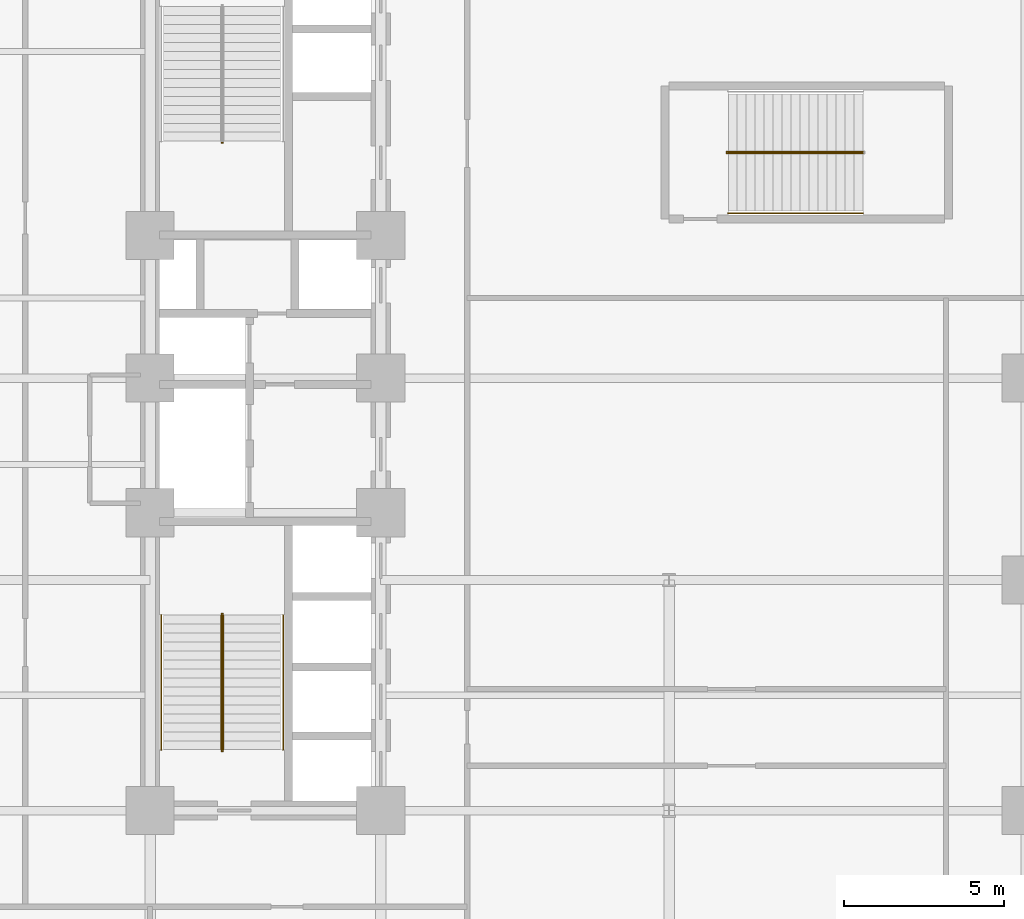
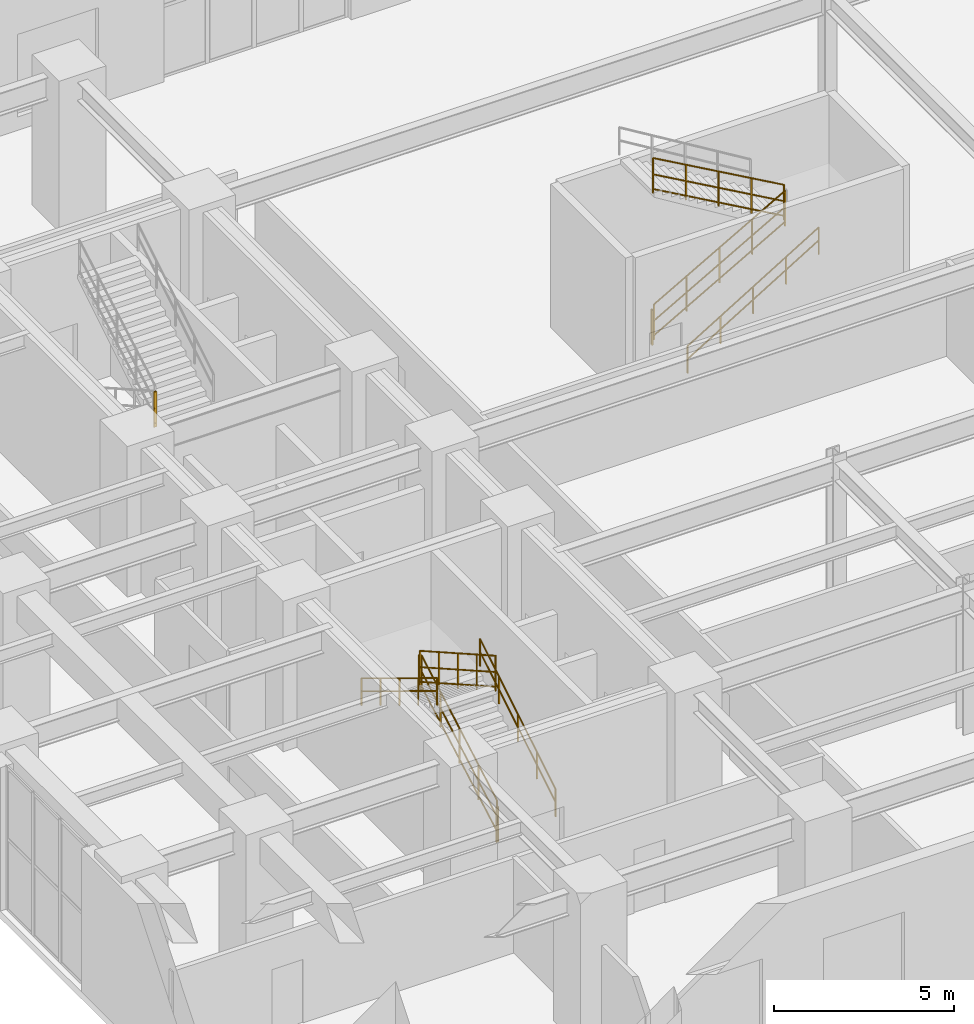
# One storey, part 21 of 23: 11 railings.
"""IFC4 building model written with IfcOpenShell, lengths in metres."""

from ifc_helpers import new_model, entity, si_unit, converted_unit, direction, frame, origin_with_axes, origin_2d_with_axis, place, context, subcontext, project, spatial, rectangle, circle, extrude, material, type_object, element, save


model = new_model("IFC4")

# Units and contexts
model_context = context("Model", 3, precision=1e-05, world=origin_with_axes(), true_north=direction((0.0, 1.0)))
body_context = subcontext(model_context, "Body", "Model", "MODEL_VIEW")
ifc_project = project(units=[si_unit("LENGTHUNIT", "METRE"), si_unit("AREAUNIT", "SQUARE_METRE"), si_unit("VOLUMEUNIT", "CUBIC_METRE"), converted_unit("PLANEANGLEUNIT", "DEGREE", entity("IfcPlaneAngleMeasure", 0.017453292519943295), si_unit("PLANEANGLEUNIT", "RADIAN"), dimensions=[0, 0, 0, 0, 0, 0, 0]), si_unit("MASSUNIT", "GRAM", prefix="KILO"), si_unit("THERMODYNAMICTEMPERATUREUNIT", "KELVIN")], contexts=[model_context])

# Site, building, storey
site_placement = place(None, origin_with_axes())
site = spatial("IfcSite", under=ifc_project, at=site_placement, CompositionType="ELEMENT")
building_placement = place(site_placement, origin_with_axes())
building = spatial("IfcBuilding", under=site, at=building_placement, Name="Varnlund Millrace Tower", CompositionType="ELEMENT")
storey_placement = place(building_placement, frame((0.0, 0.0, 5.7), z_axis=(0.0, 0.0, 1.0), x_axis=(1.0, 0.0, 0.0)))
storey = spatial("IfcBuildingStorey", under=building, at=storey_placement, Name="L01", CompositionType="ELEMENT", Elevation=5.7)

# Railings
ifc_material_1 = material(Name="Painted steel stair well balustrade guard", Category="steel")
railing_type_1 = type_object("IfcRailingType", Name="Type-StairGuard-1150", PredefinedType="GUARDRAIL", material=ifc_material_1)
railing_1_placement = place(storey_placement, frame((0.0, 0.0, -5.7), z_axis=(0.0, 0.0, 1.0), x_axis=(1.0, 0.0, 0.0)))
element("IfcRailing", 1, at=railing_1_placement, inside=storey, type_object=railing_type_1, Name="Type-StairGuard-1150", PredefinedType="GUARDRAIL", context=body_context, shape_type="SweptSolid", body=[
    extrude(circle(Radius=0.024, at=origin_2d_with_axis()), frame((13.675, 12.7, 7.02), z_axis=(0.0, 0.870022, 0.493013), x_axis=(-1.0, 0.0, 0.0)), (0.0, 0.0, 1.0), 4.827463),
    extrude(circle(Radius=0.024, at=origin_2d_with_axis()), frame((13.675, 12.7, 5.97), z_axis=(0.0, 0.870022, 0.493013), x_axis=(-1.0, 0.0, 0.0)), (0.0, 0.0, 1.0), 4.827463),
    extrude(circle(Radius=0.024, at=origin_2d_with_axis()), frame((13.675, 12.7, 6.468), z_axis=(0.0, 0.870022, 0.493013), x_axis=(-1.0, 0.0, 0.0)), (0.0, 0.0, 1.0), 4.827463),
    extrude(rectangle(XDim=0.04, YDim=0.04, at=origin_2d_with_axis()), frame((13.675, 12.7, 5.83), z_axis=(0.0, 0.0, 1.0), x_axis=(1.0, 0.0, 0.0)), (0.0, 0.0, 1.0), 1.19),
    extrude(rectangle(XDim=0.04, YDim=0.04, at=origin_2d_with_axis()), frame((13.675, 13.75, 6.425), z_axis=(0.0, 0.0, 1.0), x_axis=(1.0, 0.0, 0.0)), (0.0, 0.0, 1.0), 1.19),
    extrude(rectangle(XDim=0.04, YDim=0.04, at=origin_2d_with_axis()), frame((13.675, 14.8, 7.02), z_axis=(0.0, 0.0, 1.0), x_axis=(1.0, 0.0, 0.0)), (0.0, 0.0, 1.0), 1.19),
    extrude(rectangle(XDim=0.04, YDim=0.04, at=origin_2d_with_axis()), frame((13.675, 15.85, 7.615), z_axis=(0.0, 0.0, 1.0), x_axis=(1.0, 0.0, 0.0)), (0.0, 0.0, 1.0), 1.19),
    extrude(rectangle(XDim=0.04, YDim=0.04, at=origin_2d_with_axis()), frame((13.675, 16.9, 8.21), z_axis=(0.0, 0.0, 1.0), x_axis=(1.0, 0.0, 0.0)), (0.0, 0.0, 1.0), 1.19),
])
railing_2_placement = place(storey_placement, frame((0.0, 0.0, -5.7), z_axis=(0.0, 0.0, 1.0), x_axis=(1.0, 0.0, 0.0)))
element("IfcRailing", 2, at=railing_2_placement, inside=storey, type_object=railing_type_1, Name="Type-StairGuard-1150", PredefinedType="GUARDRAIL", context=body_context, shape_type="SweptSolid", body=[
    extrude(circle(Radius=0.024, at=origin_2d_with_axis()), frame((13.625, 16.95, 9.4), z_axis=(1.0, 0.0, 0.0), x_axis=(0.0, 1.0, 0.0)), (0.0, 0.0, 1.0), 0.05),
    extrude(circle(Radius=0.024, at=origin_2d_with_axis()), frame((13.625, 16.95, 8.35), z_axis=(1.0, 0.0, 0.0), x_axis=(0.0, 1.0, 0.0)), (0.0, 0.0, 1.0), 0.05),
    extrude(circle(Radius=0.024, at=origin_2d_with_axis()), frame((13.625, 16.95, 8.848), z_axis=(1.0, 0.0, 0.0), x_axis=(0.0, 1.0, 0.0)), (0.0, 0.0, 1.0), 0.05),
    extrude(rectangle(XDim=0.04, YDim=0.04, at=origin_2d_with_axis()), frame((13.625, 16.95, 8.21), z_axis=(0.0, 0.0, 1.0), x_axis=(1.0, 0.0, 0.0)), (0.0, 0.0, 1.0), 1.19),
    extrude(rectangle(XDim=0.04, YDim=0.04, at=origin_2d_with_axis()), frame((13.675, 16.95, 8.21), z_axis=(0.0, 0.0, 1.0), x_axis=(1.0, 0.0, 0.0)), (0.0, 0.0, 1.0), 1.19),
])
railing_3_placement = place(storey_placement, frame((0.0, 0.0, -5.7), z_axis=(0.0, 0.0, 1.0), x_axis=(1.0, 0.0, 0.0)))
element("IfcRailing", 3, at=railing_3_placement, inside=storey, type_object=railing_type_1, Name="Type-StairGuard-1150", PredefinedType="GUARDRAIL", context=body_context, shape_type="SweptSolid", body=[
    extrude(circle(Radius=0.024, at=origin_2d_with_axis()), frame((13.625, 16.9, 9.57), z_axis=(0.0, -0.870022, 0.493013), x_axis=(1.0, 0.0, 0.0)), (0.0, 0.0, 1.0), 4.827463),
    extrude(circle(Radius=0.024, at=origin_2d_with_axis()), frame((13.625, 16.9, 8.52), z_axis=(0.0, -0.870022, 0.493013), x_axis=(1.0, 0.0, 0.0)), (0.0, 0.0, 1.0), 4.827463),
    extrude(circle(Radius=0.024, at=origin_2d_with_axis()), frame((13.625, 16.9, 9.018), z_axis=(0.0, -0.870022, 0.493013), x_axis=(1.0, 0.0, 0.0)), (0.0, 0.0, 1.0), 4.827463),
    extrude(rectangle(XDim=0.04, YDim=0.04, at=origin_2d_with_axis()), frame((13.625, 16.9, 8.38), z_axis=(0.0, 0.0, 1.0), x_axis=(1.0, 0.0, 0.0)), (0.0, 0.0, 1.0), 1.19),
    extrude(rectangle(XDim=0.04, YDim=0.04, at=origin_2d_with_axis()), frame((13.625, 15.85, 8.975), z_axis=(0.0, 0.0, 1.0), x_axis=(1.0, 0.0, 0.0)), (0.0, 0.0, 1.0), 1.19),
    extrude(rectangle(XDim=0.04, YDim=0.04, at=origin_2d_with_axis()), frame((13.625, 14.8, 9.57), z_axis=(0.0, 0.0, 1.0), x_axis=(1.0, 0.0, 0.0)), (0.0, 0.0, 1.0), 1.19),
    extrude(rectangle(XDim=0.04, YDim=0.04, at=origin_2d_with_axis()), frame((13.625, 13.75, 10.165), z_axis=(0.0, 0.0, 1.0), x_axis=(1.0, 0.0, 0.0)), (0.0, 0.0, 1.0), 1.19),
    extrude(rectangle(XDim=0.04, YDim=0.04, at=origin_2d_with_axis()), frame((13.625, 12.7, 10.76), z_axis=(0.0, 0.0, 1.0), x_axis=(1.0, 0.0, 0.0)), (0.0, 0.0, 1.0), 1.19),
])
railing_4_placement = place(storey_placement, frame((0.0, 0.0, -5.7), z_axis=(0.0, 0.0, 1.0), x_axis=(1.0, 0.0, 0.0)))
element("IfcRailing", 4, at=railing_4_placement, inside=storey, type_object=railing_type_1, Name="Type-StairGuard-1150", PredefinedType="GUARDRAIL", context=body_context, shape_type="SweptSolid", body=[
    extrude(circle(Radius=0.024, at=origin_2d_with_axis()), frame((13.625, 12.65, 6.85), z_axis=(1.0, 0.0, 0.0), x_axis=(0.0, 1.0, 0.0)), (0.0, 0.0, 1.0), 0.05),
    extrude(circle(Radius=0.024, at=origin_2d_with_axis()), frame((13.625, 12.65, 5.8), z_axis=(1.0, 0.0, 0.0), x_axis=(0.0, 1.0, 0.0)), (0.0, 0.0, 1.0), 0.05),
    extrude(circle(Radius=0.024, at=origin_2d_with_axis()), frame((13.625, 12.65, 6.298), z_axis=(1.0, 0.0, 0.0), x_axis=(0.0, 1.0, 0.0)), (0.0, 0.0, 1.0), 0.05),
    extrude(rectangle(XDim=0.04, YDim=0.04, at=origin_2d_with_axis()), frame((13.625, 12.65, 5.66), z_axis=(0.0, 0.0, 1.0), x_axis=(1.0, 0.0, 0.0)), (0.0, 0.0, 1.0), 1.19),
    extrude(rectangle(XDim=0.04, YDim=0.04, at=origin_2d_with_axis()), frame((13.675, 12.65, 5.66), z_axis=(0.0, 0.0, 1.0), x_axis=(1.0, 0.0, 0.0)), (0.0, 0.0, 1.0), 1.19),
])
railing_5_placement = place(storey_placement, frame((0.0, 0.0, -5.7), z_axis=(0.0, 0.0, 1.0), x_axis=(1.0, 0.0, 0.0)))
element("IfcRailing", 5, at=railing_5_placement, inside=storey, type_object=railing_type_1, Name="Type-StairGuard-1150", PredefinedType="GUARDRAIL", context=body_context, shape_type="SweptSolid", body=[
    extrude(circle(Radius=0.024, at=origin_2d_with_axis()), frame((13.675, 31.65, 9.4), z_axis=(-1.0, 0.0, 0.0), x_axis=(0.0, -1.0, 0.0)), (0.0, 0.0, 1.0), 0.05),
    extrude(circle(Radius=0.024, at=origin_2d_with_axis()), frame((13.675, 31.65, 8.35), z_axis=(-1.0, 0.0, 0.0), x_axis=(0.0, -1.0, 0.0)), (0.0, 0.0, 1.0), 0.05),
    extrude(circle(Radius=0.024, at=origin_2d_with_axis()), frame((13.675, 31.65, 8.848), z_axis=(-1.0, 0.0, 0.0), x_axis=(0.0, -1.0, 0.0)), (0.0, 0.0, 1.0), 0.05),
    extrude(rectangle(XDim=0.04, YDim=0.04, at=origin_2d_with_axis()), frame((13.675, 31.65, 8.21), z_axis=(0.0, 0.0, 1.0), x_axis=(1.0, 0.0, 0.0)), (0.0, 0.0, 1.0), 1.19),
    extrude(rectangle(XDim=0.04, YDim=0.04, at=origin_2d_with_axis()), frame((13.625, 31.65, 8.21), z_axis=(0.0, 0.0, 1.0), x_axis=(1.0, 0.0, 0.0)), (0.0, 0.0, 1.0), 1.19),
])
railing_6_placement = place(storey_placement, frame((0.0, 0.0, -5.7), z_axis=(0.0, 0.0, 1.0), x_axis=(1.0, 0.0, 0.0)))
element("IfcRailing", 6, at=railing_6_placement, inside=storey, type_object=railing_type_1, Name="Type-StairGuard-1150", PredefinedType="GUARDRAIL", context=body_context, shape_type="SweptSolid", body=[
    extrude(circle(Radius=0.024, at=origin_2d_with_axis()), frame((29.45, 31.325, 7.02), z_axis=(0.870022, 0.0, 0.493013), x_axis=(0.0, 1.0, 0.0)), (0.0, 0.0, 1.0), 4.827463),
    extrude(circle(Radius=0.024, at=origin_2d_with_axis()), frame((29.45, 31.325, 5.97), z_axis=(0.870022, 0.0, 0.493013), x_axis=(0.0, 1.0, 0.0)), (0.0, 0.0, 1.0), 4.827463),
    extrude(circle(Radius=0.024, at=origin_2d_with_axis()), frame((29.45, 31.325, 6.468), z_axis=(0.870022, 0.0, 0.493013), x_axis=(0.0, 1.0, 0.0)), (0.0, 0.0, 1.0), 4.827463),
    extrude(rectangle(XDim=0.04, YDim=0.04, at=origin_2d_with_axis()), frame((29.45, 31.325, 5.83), z_axis=(0.0, 0.0, 1.0), x_axis=(1.0, 0.0, 0.0)), (0.0, 0.0, 1.0), 1.19),
    extrude(rectangle(XDim=0.04, YDim=0.04, at=origin_2d_with_axis()), frame((30.5, 31.325, 6.425), z_axis=(0.0, 0.0, 1.0), x_axis=(1.0, 0.0, 0.0)), (0.0, 0.0, 1.0), 1.19),
    extrude(rectangle(XDim=0.04, YDim=0.04, at=origin_2d_with_axis()), frame((31.55, 31.325, 7.02), z_axis=(0.0, 0.0, 1.0), x_axis=(1.0, 0.0, 0.0)), (0.0, 0.0, 1.0), 1.19),
    extrude(rectangle(XDim=0.04, YDim=0.04, at=origin_2d_with_axis()), frame((32.6, 31.325, 7.615), z_axis=(0.0, 0.0, 1.0), x_axis=(1.0, 0.0, 0.0)), (0.0, 0.0, 1.0), 1.19),
    extrude(rectangle(XDim=0.04, YDim=0.04, at=origin_2d_with_axis()), frame((33.65, 31.325, 8.21), z_axis=(0.0, 0.0, 1.0), x_axis=(1.0, 0.0, 0.0)), (0.0, 0.0, 1.0), 1.19),
])
railing_7_placement = place(storey_placement, frame((0.0, 0.0, -5.7), z_axis=(0.0, 0.0, 1.0), x_axis=(1.0, 0.0, 0.0)))
element("IfcRailing", 7, at=railing_7_placement, inside=storey, type_object=railing_type_1, Name="Type-StairGuard-1150", PredefinedType="GUARDRAIL", context=body_context, shape_type="SweptSolid", body=[
    extrude(circle(Radius=0.024, at=origin_2d_with_axis()), frame((33.65, 31.375, 9.57), z_axis=(-0.870022, 0.0, 0.493013), x_axis=(0.0, -1.0, 0.0)), (0.0, 0.0, 1.0), 4.827463),
    extrude(circle(Radius=0.024, at=origin_2d_with_axis()), frame((33.65, 31.375, 8.52), z_axis=(-0.870022, 0.0, 0.493013), x_axis=(0.0, -1.0, 0.0)), (0.0, 0.0, 1.0), 4.827463),
    extrude(circle(Radius=0.024, at=origin_2d_with_axis()), frame((33.65, 31.375, 9.018), z_axis=(-0.870022, 0.0, 0.493013), x_axis=(0.0, -1.0, 0.0)), (0.0, 0.0, 1.0), 4.827463),
    extrude(rectangle(XDim=0.04, YDim=0.04, at=origin_2d_with_axis()), frame((33.65, 31.375, 8.38), z_axis=(0.0, 0.0, 1.0), x_axis=(1.0, 0.0, 0.0)), (0.0, 0.0, 1.0), 1.19),
    extrude(rectangle(XDim=0.04, YDim=0.04, at=origin_2d_with_axis()), frame((32.6, 31.375, 8.975), z_axis=(0.0, 0.0, 1.0), x_axis=(1.0, 0.0, 0.0)), (0.0, 0.0, 1.0), 1.19),
    extrude(rectangle(XDim=0.04, YDim=0.04, at=origin_2d_with_axis()), frame((31.55, 31.375, 9.57), z_axis=(0.0, 0.0, 1.0), x_axis=(1.0, 0.0, 0.0)), (0.0, 0.0, 1.0), 1.19),
    extrude(rectangle(XDim=0.04, YDim=0.04, at=origin_2d_with_axis()), frame((30.5, 31.375, 10.165), z_axis=(0.0, 0.0, 1.0), x_axis=(1.0, 0.0, 0.0)), (0.0, 0.0, 1.0), 1.19),
    extrude(rectangle(XDim=0.04, YDim=0.04, at=origin_2d_with_axis()), frame((29.45, 31.375, 10.76), z_axis=(0.0, 0.0, 1.0), x_axis=(1.0, 0.0, 0.0)), (0.0, 0.0, 1.0), 1.19),
])
railing_8_placement = place(storey_placement, frame((0.0, 0.0, -5.7), z_axis=(0.0, 0.0, 1.0), x_axis=(1.0, 0.0, 0.0)))
element("IfcRailing", 8, at=railing_8_placement, inside=storey, type_object=railing_type_1, Name="Type-StairGuard-1150", PredefinedType="GUARDRAIL", context=body_context, shape_type="SweptSolid", body=[
    extrude(circle(Radius=0.024, at=origin_2d_with_axis()), frame((29.4, 31.375, 6.85), z_axis=(0.0, -1.0, 0.0), x_axis=(1.0, 0.0, 0.0)), (0.0, 0.0, 1.0), 0.05),
    extrude(circle(Radius=0.024, at=origin_2d_with_axis()), frame((29.4, 31.375, 5.8), z_axis=(0.0, -1.0, 0.0), x_axis=(1.0, 0.0, 0.0)), (0.0, 0.0, 1.0), 0.05),
    extrude(circle(Radius=0.024, at=origin_2d_with_axis()), frame((29.4, 31.375, 6.298), z_axis=(0.0, -1.0, 0.0), x_axis=(1.0, 0.0, 0.0)), (0.0, 0.0, 1.0), 0.05),
    extrude(rectangle(XDim=0.04, YDim=0.04, at=origin_2d_with_axis()), frame((29.4, 31.375, 5.66), z_axis=(0.0, 0.0, 1.0), x_axis=(1.0, 0.0, 0.0)), (0.0, 0.0, 1.0), 1.19),
    extrude(rectangle(XDim=0.04, YDim=0.04, at=origin_2d_with_axis()), frame((29.4, 31.325, 5.66), z_axis=(0.0, 0.0, 1.0), x_axis=(1.0, 0.0, 0.0)), (0.0, 0.0, 1.0), 1.19),
])
ifc_material_2 = material(Name="Brushed architectural bronze stair handrail", Category="aluminium")
railing_type_2 = type_object("IfcRailingType", Name="Type-StairHandrail-900", PredefinedType="HANDRAIL", material=ifc_material_2)
railing_9_placement = place(storey_placement, frame((0.0, 0.0, -5.7), z_axis=(0.0, 0.0, 1.0), x_axis=(1.0, 0.0, 0.0)))
element("IfcRailing", 9, at=railing_9_placement, inside=storey, type_object=railing_type_2, Name="Type-StairHandrail-900", PredefinedType="HANDRAIL", context=body_context, shape_type="SweptSolid", body=[
    extrude(circle(Radius=0.024, at=origin_2d_with_axis()), frame((15.55, 12.7, 6.749485), z_axis=(0.0, 0.854788, 0.518978), x_axis=(-1.0, 0.0, 0.0)), (0.0, 0.0, 1.0), 4.913502),
    extrude(circle(Radius=0.024, at=origin_2d_with_axis()), frame((15.55, 12.7, 6.309743), z_axis=(0.0, 0.854788, 0.518978), x_axis=(-1.0, 0.0, 0.0)), (0.0, 0.0, 1.0), 4.913502),
    extrude(rectangle(XDim=0.04, YDim=0.04, at=origin_2d_with_axis()), frame((15.55, 12.7, 5.83), z_axis=(0.0, 0.0, 1.0), x_axis=(1.0, 0.0, 0.0)), (0.0, 0.0, 1.0), 0.919485),
    extrude(rectangle(XDim=0.04, YDim=0.04, at=origin_2d_with_axis()), frame((15.55, 13.75, 6.4675), z_axis=(0.0, 0.0, 1.0), x_axis=(1.0, 0.0, 0.0)), (0.0, 0.0, 1.0), 0.919485),
    extrude(rectangle(XDim=0.04, YDim=0.04, at=origin_2d_with_axis()), frame((15.55, 14.8, 7.105), z_axis=(0.0, 0.0, 1.0), x_axis=(1.0, 0.0, 0.0)), (0.0, 0.0, 1.0), 0.919485),
    extrude(rectangle(XDim=0.04, YDim=0.04, at=origin_2d_with_axis()), frame((15.55, 15.85, 7.7425), z_axis=(0.0, 0.0, 1.0), x_axis=(1.0, 0.0, 0.0)), (0.0, 0.0, 1.0), 0.919485),
    extrude(rectangle(XDim=0.04, YDim=0.04, at=origin_2d_with_axis()), frame((15.55, 16.9, 8.38), z_axis=(0.0, 0.0, 1.0), x_axis=(1.0, 0.0, 0.0)), (0.0, 0.0, 1.0), 0.919485),
])
railing_10_placement = place(storey_placement, frame((0.0, 0.0, -5.7), z_axis=(0.0, 0.0, 1.0), x_axis=(1.0, 0.0, 0.0)))
element("IfcRailing", 10, at=railing_10_placement, inside=storey, type_object=railing_type_2, Name="Type-StairHandrail-900", PredefinedType="HANDRAIL", context=body_context, shape_type="SweptSolid", body=[
    extrude(circle(Radius=0.024, at=origin_2d_with_axis()), frame((11.75, 16.9, 9.299485), z_axis=(0.0, -0.854788, 0.518978), x_axis=(1.0, 0.0, 0.0)), (0.0, 0.0, 1.0), 4.913502),
    extrude(circle(Radius=0.024, at=origin_2d_with_axis()), frame((11.75, 16.9, 8.859743), z_axis=(0.0, -0.854788, 0.518978), x_axis=(1.0, 0.0, 0.0)), (0.0, 0.0, 1.0), 4.913502),
    extrude(rectangle(XDim=0.04, YDim=0.04, at=origin_2d_with_axis()), frame((11.75, 16.9, 8.38), z_axis=(0.0, 0.0, 1.0), x_axis=(1.0, 0.0, 0.0)), (0.0, 0.0, 1.0), 0.919485),
    extrude(rectangle(XDim=0.04, YDim=0.04, at=origin_2d_with_axis()), frame((11.75, 15.85, 9.0175), z_axis=(0.0, 0.0, 1.0), x_axis=(1.0, 0.0, 0.0)), (0.0, 0.0, 1.0), 0.919485),
    extrude(rectangle(XDim=0.04, YDim=0.04, at=origin_2d_with_axis()), frame((11.75, 14.8, 9.655), z_axis=(0.0, 0.0, 1.0), x_axis=(1.0, 0.0, 0.0)), (0.0, 0.0, 1.0), 0.919485),
    extrude(rectangle(XDim=0.04, YDim=0.04, at=origin_2d_with_axis()), frame((11.75, 13.75, 10.2925), z_axis=(0.0, 0.0, 1.0), x_axis=(1.0, 0.0, 0.0)), (0.0, 0.0, 1.0), 0.919485),
    extrude(rectangle(XDim=0.04, YDim=0.04, at=origin_2d_with_axis()), frame((11.75, 12.7, 10.93), z_axis=(0.0, 0.0, 1.0), x_axis=(1.0, 0.0, 0.0)), (0.0, 0.0, 1.0), 0.919485),
])
railing_11_placement = place(storey_placement, frame((0.0, 0.0, -5.7), z_axis=(0.0, 0.0, 1.0), x_axis=(1.0, 0.0, 0.0)))
element("IfcRailing", 11, at=railing_11_placement, inside=storey, type_object=railing_type_2, Name="Type-StairHandrail-900", PredefinedType="HANDRAIL", context=body_context, shape_type="SweptSolid", body=[
    extrude(circle(Radius=0.024, at=origin_2d_with_axis()), frame((29.45, 29.45, 6.749485), z_axis=(0.854788, 0.0, 0.518978), x_axis=(0.0, 1.0, 0.0)), (0.0, 0.0, 1.0), 4.913502),
    extrude(circle(Radius=0.024, at=origin_2d_with_axis()), frame((29.45, 29.45, 6.309743), z_axis=(0.854788, 0.0, 0.518978), x_axis=(0.0, 1.0, 0.0)), (0.0, 0.0, 1.0), 4.913502),
    extrude(rectangle(XDim=0.04, YDim=0.04, at=origin_2d_with_axis()), frame((29.45, 29.45, 5.83), z_axis=(0.0, 0.0, 1.0), x_axis=(1.0, 0.0, 0.0)), (0.0, 0.0, 1.0), 0.919485),
    extrude(rectangle(XDim=0.04, YDim=0.04, at=origin_2d_with_axis()), frame((30.5, 29.45, 6.4675), z_axis=(0.0, 0.0, 1.0), x_axis=(1.0, 0.0, 0.0)), (0.0, 0.0, 1.0), 0.919485),
    extrude(rectangle(XDim=0.04, YDim=0.04, at=origin_2d_with_axis()), frame((31.55, 29.45, 7.105), z_axis=(0.0, 0.0, 1.0), x_axis=(1.0, 0.0, 0.0)), (0.0, 0.0, 1.0), 0.919485),
    extrude(rectangle(XDim=0.04, YDim=0.04, at=origin_2d_with_axis()), frame((32.6, 29.45, 7.7425), z_axis=(0.0, 0.0, 1.0), x_axis=(1.0, 0.0, 0.0)), (0.0, 0.0, 1.0), 0.919485),
    extrude(rectangle(XDim=0.04, YDim=0.04, at=origin_2d_with_axis()), frame((33.65, 29.45, 8.38), z_axis=(0.0, 0.0, 1.0), x_axis=(1.0, 0.0, 0.0)), (0.0, 0.0, 1.0), 0.919485),
])

save(model, "model.ifc")
